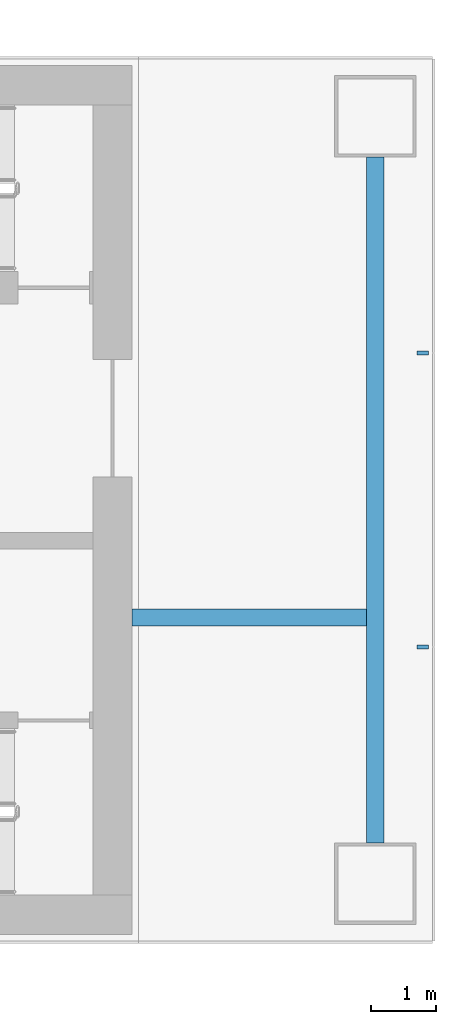
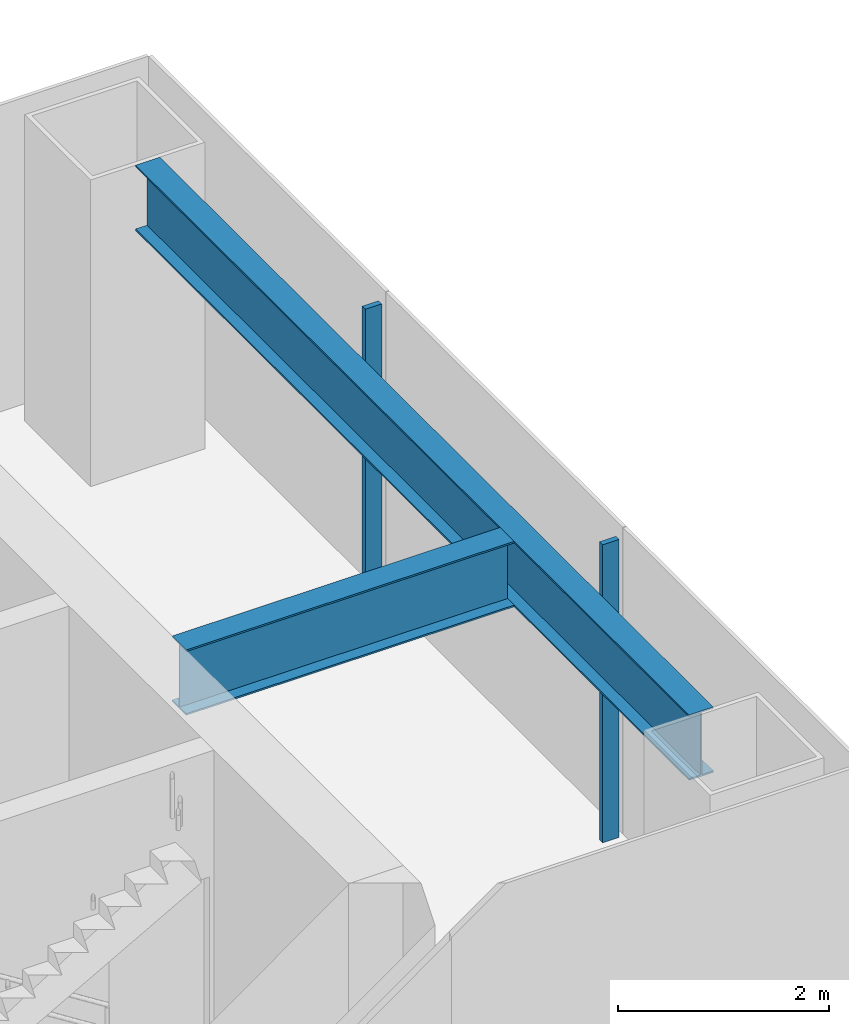
# One storey, part 7 of 18: 2 beams, 2 members, 1 element without a shape of its own.
"""IFC4 building model written with IfcOpenShell, lengths in metres."""

from ifc_helpers import new_model, si_unit, direction, frame, origin, origin_2d, place, context, subcontext, project, spatial, rectangle, i_section, extrude, material, layer, layer_set, material_profile, profile_set, type_object, element, aggregate, save


model = new_model("IFC4")

# Units and contexts
model_context = context("Model", 3, precision=1e-05, world=origin(), true_north=direction((0.0, 1.0)))
body_context = subcontext(model_context, "Body", "Model", "MODEL_VIEW")
ifc_project = project(units=[si_unit("LENGTHUNIT", "METRE"), si_unit("AREAUNIT", "SQUARE_METRE"), si_unit("VOLUMEUNIT", "CUBIC_METRE"), si_unit("PLANEANGLEUNIT", "RADIAN"), si_unit("MASSUNIT", "GRAM", prefix="KILO")], contexts=[model_context])

# Site, building, storey
site_placement = place(None, origin())
site = spatial("IfcSite", under=ifc_project, at=site_placement, CompositionType="ELEMENT")
building_placement = place(site_placement, origin())
building = spatial("IfcBuilding", under=site, at=building_placement, Name="Shamsa Quay Exchange Towers", CompositionType="ELEMENT")
storey_placement = place(building_placement, frame((0.0, 0.0, 117.0)))
storey = spatial("IfcBuildingStorey", under=building, at=storey_placement, Name="L27", CompositionType="ELEMENT", Elevation=117.0)

# Curtain wall, members
ifc_material_1 = material(Name="Aluminium EN AW-6063 T6, black anodised", Category="aluminium")
ifc_layer = layer(ifc_material_1, 0.280029296875)
ifc_layer_set = layer_set([ifc_layer], Name="CW-1 UNITISED VISION GLASS")
curtain_wall_type = type_object("IfcCurtainWallType", Name="CW-1 UNITISED VISION GLASS", PredefinedType="NOTDEFINED", material=ifc_layer_set)
curtain_wall_placement = place(storey_placement, origin())
curtain_wall = element("IfcCurtainWall", 1, at=curtain_wall_placement, inside=storey, type_object=curtain_wall_type, Name="CW1 T2-END-V- L27", PredefinedType="NOTDEFINED")
ifc_material_profile_1 = material_profile(ifc_material_1, rectangle(XDim=0.179931640625, YDim=0.06005859375, at=origin_2d()), Name="MU60x180")
ifc_profile_set_1 = profile_set([ifc_material_profile_1], Name="Aluminium EN AW-6063 T6, black anodised")
member_type = type_object("IfcMemberType", Name="CW1 MULLION 60x180", PredefinedType="MULLION", material=ifc_profile_set_1)
member_1_placement = place(storey_placement, frame((58.35009765625, -2.25, 0.0), z_axis=(0.0, 0.0, 1.0), x_axis=(-1.0, 0.0, 0.0)))
member_1 = element("IfcMember", 2, at=member_1_placement, type_object=member_type, Name="CW1 mullion", PredefinedType="MULLION", context=body_context, shape_type="SweptSolid", body=[
    extrude(rectangle(XDim=0.179931640625, YDim=0.06005859375, at=origin_2d()), origin(), (0.0, 0.0, 1.0), 3.449951171875),
])
member_2_placement = place(storey_placement, frame((58.35009765625, 2.25, 0.0), z_axis=(0.0, 0.0, 1.0), x_axis=(-1.0, 0.0, 0.0)))
member_2 = element("IfcMember", 3, at=member_2_placement, type_object=member_type, Name="CW1 mullion", PredefinedType="MULLION", context=body_context, shape_type="SweptSolid", body=[
    extrude(rectangle(XDim=0.179931640625, YDim=0.06005859375, at=origin_2d()), origin(), (0.0, 0.0, 1.0), 3.449951171875),
])
aggregate(curtain_wall, [member_1, member_2])

# Beams
ifc_material_2 = material(Name="Steel S355", Category="steel")
ifc_material_profile_2 = material_profile(ifc_material_2, i_section(OverallWidth=0.26611328125, OverallDepth=0.7578125, WebThickness=0.013916015625, FlangeThickness=0.019287109375, at=origin_2d()), Name="W30x108")
ifc_profile_set_2 = profile_set([ifc_material_profile_2], Name="Steel S355")
beam_type = type_object("IfcBeamType", Name="End-zone beam W30x108", PredefinedType="BEAM", material=ifc_profile_set_2)
beam_1_placement = place(storey_placement, frame((57.625, -5.25, 3.171142578125), z_axis=(0.0, 1.0, 0.0), x_axis=(-1.0, 0.0, 0.0)))
element("IfcBeam", 4, at=beam_1_placement, inside=storey, type_object=beam_type, Name="End beam T2 V- end zone L27", PredefinedType="BEAM", context=body_context, shape_type="SweptSolid", body=[
    extrude(i_section(OverallWidth=0.26611328125, OverallDepth=0.7578125, WebThickness=0.013916015625, FlangeThickness=0.019287109375, at=origin_2d()), origin(), (0.0, 0.0, 1.0), 10.5),
])
beam_2_placement = place(storey_placement, frame((53.89990234375, -1.800048828125, 3.171142578125), z_axis=(1.0, 0.0, 0.0), x_axis=(0.0, 1.0, 0.0)))
element("IfcBeam", 5, at=beam_2_placement, inside=storey, type_object=beam_type, Name="Spine beam T2 V- end zone L27", PredefinedType="BEAM", context=body_context, shape_type="SweptSolid", body=[
    extrude(i_section(OverallWidth=0.26611328125, OverallDepth=0.7578125, WebThickness=0.013916015625, FlangeThickness=0.019287109375, at=origin_2d()), origin(), (0.0, 0.0, 1.0), 3.592041015625),
])

save(model, "model.ifc")
